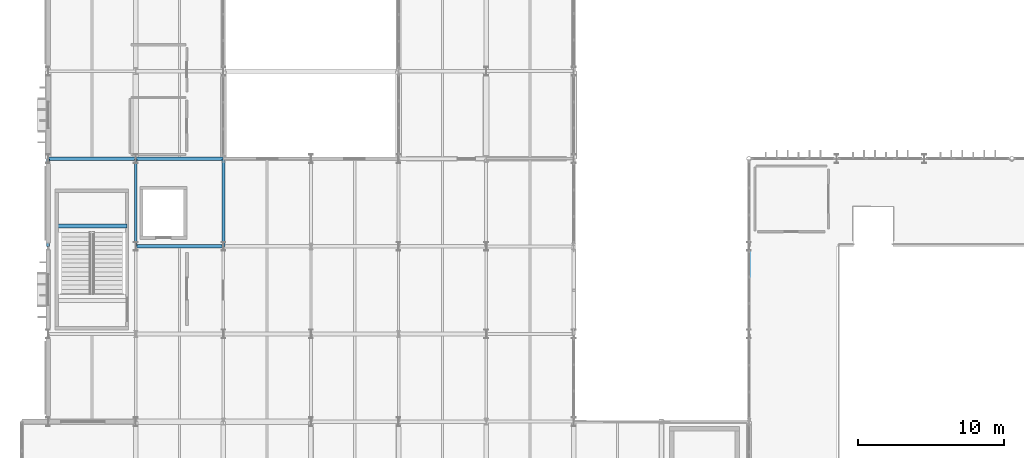
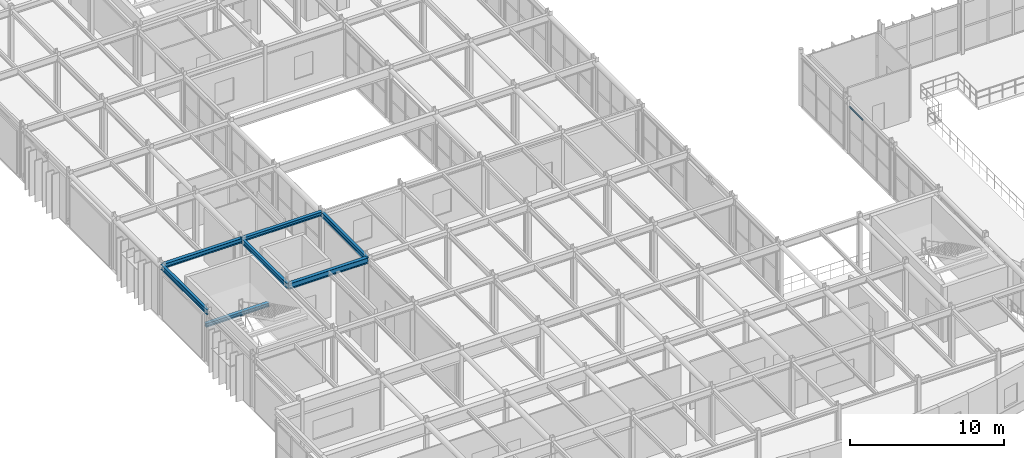
# One storey, part 28 of 96: 7 beams, 1 member, 1 element without a shape of its own.
"""IFC4 building model written with IfcOpenShell, lengths in metres."""

from ifc_helpers import new_model, si_unit, direction, frame, origin, origin_2d, place, context, subcontext, project, spatial, rectangle, i_section, extrude, material, material_profile, profile_set, type_object, element, aggregate, save


model = new_model("IFC4")

# Units and contexts
model_context = context("Model", 3, precision=1e-05, world=origin(), true_north=direction((0.0, 1.0)))
body_context = subcontext(model_context, "Body", "Model", "MODEL_VIEW")
ifc_project = project(units=[si_unit("LENGTHUNIT", "METRE"), si_unit("AREAUNIT", "SQUARE_METRE"), si_unit("VOLUMEUNIT", "CUBIC_METRE"), si_unit("PLANEANGLEUNIT", "RADIAN"), si_unit("MASSUNIT", "GRAM", prefix="KILO")], contexts=[model_context])

# Site, building, storey
site_placement = place(None, origin())
site = spatial("IfcSite", under=ifc_project, at=site_placement, CompositionType="ELEMENT")
building_placement = place(site_placement, origin())
building = spatial("IfcBuilding", under=site, at=building_placement, Name="Varnakota Square Police Headquarters", CompositionType="ELEMENT")
storey_placement = place(building_placement, frame((0.0, 0.0, 4.800048828125)))
storey = spatial("IfcBuildingStorey", under=building, at=storey_placement, Name="L01", CompositionType="ELEMENT", Elevation=4.800048828125)

# Beams
ifc_material_1 = material(Name="Steel IS 2062 Grade 350", Category="steel")
ifc_material_profile_1 = material_profile(ifc_material_1, i_section(OverallWidth=0.25, OverallDepth=0.300048828125, WebThickness=0.009521484375, FlangeThickness=0.010498046875, FilletRadius=0.011962890625, at=origin_2d()), Name="ISHB 300")
ifc_profile_set_1 = profile_set([ifc_material_profile_1], Name="Steel IS 2062 Grade 350")
beam_type_1 = type_object("IfcBeamType", Name="BM-ISHB300", PredefinedType="BEAM", material=ifc_profile_set_1)
beam_1_placement = place(storey_placement, frame((12.0, 39.0, 4.050048828125), z_axis=(1.0, 0.0, 0.0), x_axis=(0.0, 1.0, 0.0)))
element("IfcBeam", 1, at=beam_1_placement, inside=storey, type_object=beam_type_1, Name="BMG-L01-1384", PredefinedType="BEAM", context=body_context, shape_type="SweptSolid", body=[
    extrude(i_section(OverallWidth=0.25, OverallDepth=0.300048828125, WebThickness=0.009521484375, FlangeThickness=0.010498046875, FilletRadius=0.011962890625, at=origin_2d()), origin(), (0.0, 0.0, 1.0), 6.0),
])
beam_2_placement = place(storey_placement, frame((6.60009765625, 34.400634765625, 1.933837890625), z_axis=(1.0, 0.0, 0.0), x_axis=(0.0, 1.0, 0.0)))
element("IfcBeam", 2, at=beam_2_placement, inside=storey, type_object=beam_type_1, Name="Stair landing support beam BM-LND-0049", PredefinedType="BEAM", context=body_context, shape_type="SweptSolid", body=[
    extrude(i_section(OverallWidth=0.25, OverallDepth=0.300048828125, WebThickness=0.009521484375, FlangeThickness=0.010498046875, FilletRadius=0.011962890625, at=origin_2d()), origin(), (0.0, 0.0, 1.0), 4.7998046875),
])
ifc_material_profile_2 = material_profile(ifc_material_1, i_section(OverallWidth=0.25, OverallDepth=0.35009765625, WebThickness=0.010009765625, FlangeThickness=0.01171875, FilletRadius=0.011962890625, at=origin_2d()), Name="ISHB 350")
ifc_profile_set_2 = profile_set([ifc_material_profile_2], Name="Steel IS 2062 Grade 350")
beam_type_2 = type_object("IfcBeamType", Name="BM-ISHB350", PredefinedType="BEAM", material=ifc_profile_set_2)
beam_3_placement = place(storey_placement, frame((6.0, 39.0, 4.02490234375), z_axis=(1.0, 0.0, 0.0), x_axis=(0.0, 1.0, 0.0)))
element("IfcBeam", 3, at=beam_3_placement, inside=storey, type_object=beam_type_2, Name="BMG-L01-1383", PredefinedType="BEAM", context=body_context, shape_type="SweptSolid", body=[
    extrude(i_section(OverallWidth=0.25, OverallDepth=0.35009765625, WebThickness=0.010009765625, FlangeThickness=0.01171875, FilletRadius=0.011962890625, at=origin_2d()), origin(), (0.0, 0.0, 1.0), 6.0),
])
ifc_material_profile_3 = material_profile(ifc_material_1, i_section(OverallWidth=0.25, OverallDepth=0.449951171875, WebThickness=0.01123046875, FlangeThickness=0.013671875, FilletRadius=0.014892578125, at=origin_2d()), Name="ISHB 450")
ifc_profile_set_3 = profile_set([ifc_material_profile_3], Name="Steel IS 2062 Grade 350")
beam_type_3 = type_object("IfcBeamType", Name="BM-ISHB450", PredefinedType="BEAM", material=ifc_profile_set_3)
beam_4_placement = place(storey_placement, frame((12.0, 33.0, 3.974853515625), z_axis=(1.0, 0.0, 0.0), x_axis=(0.0, 1.0, 0.0)))
element("IfcBeam", 4, at=beam_4_placement, inside=storey, type_object=beam_type_3, Name="BMG-L01-1375", PredefinedType="BEAM", context=body_context, shape_type="SweptSolid", body=[
    extrude(i_section(OverallWidth=0.25, OverallDepth=0.449951171875, WebThickness=0.01123046875, FlangeThickness=0.013671875, FilletRadius=0.014892578125, at=origin_2d()), origin(), (0.0, 0.0, 1.0), 6.0),
])
ifc_material_profile_4 = material_profile(ifc_material_1, i_section(OverallWidth=0.199951171875, OverallDepth=0.39990234375, WebThickness=0.008544921875, FlangeThickness=0.012939453125, FilletRadius=0.012939453125, at=origin_2d()), Name="ISWB 400")
ifc_profile_set_4 = profile_set([ifc_material_profile_4], Name="Steel IS 2062 Grade 350")
beam_type_4 = type_object("IfcBeamType", Name="BM-ISWB400", PredefinedType="BEAM", material=ifc_profile_set_4)
for number, where, z_axis, x_axis, name in (
    (5, (6.0, 33.0, 4.0), (0.0, 1.0, 0.0), (-1.0, 0.0, 0.0), "BMG-L01-1539"),
    (6, (12.0, 33.0, 4.0), (0.0, 1.0, 0.0), (-1.0, 0.0, 0.0), "BMG-L01-1556"),
    (7, (18.0, 33.0, 4.0), (0.0, 1.0, 0.0), (-1.0, 0.0, 0.0), "BMG-L01-1570"),
):
    element("IfcBeam", number, at=place(storey_placement, frame(where, z_axis=z_axis, x_axis=x_axis)), inside=storey, type_object=beam_type_4, Name=name, PredefinedType="BEAM", context=body_context, shape_type="SweptSolid", body=[
        extrude(i_section(OverallWidth=0.199951171875, OverallDepth=0.39990234375, WebThickness=0.008544921875, FlangeThickness=0.012939453125, FilletRadius=0.012939453125, at=origin_2d()), origin(), (0.0, 0.0, 1.0), 6.0),
    ])

# Curtain wall, member
ifc_material_2 = material(Name="Anodised Aluminium Framing", Category="aluminium")
curtain_wall_type = type_object("IfcCurtainWallType", Name="CW-SYS-B", PredefinedType="NOTDEFINED", material=ifc_material_2)
curtain_wall_placement = place(storey_placement, origin())
curtain_wall = element("IfcCurtainWall", 8, at=curtain_wall_placement, inside=storey, type_object=curtain_wall_type, Name="Unitised curtain wall CWG-L01-031", PredefinedType="NOTDEFINED")
ifc_material_3 = material(Name="Anodised Aluminium 6063-T6", Category="aluminium")
ifc_material_profile_5 = material_profile(ifc_material_3, rectangle(XDim=0.06494140625, YDim=0.1298828125, at=origin_2d()), Name="ALU TRANSOM 65x130")
ifc_profile_set_5 = profile_set([ifc_material_profile_5], Name="Anodised Aluminium 6063-T6")
member_type = type_object("IfcMemberType", Name="CWT-120", PredefinedType="USERDEFINED", material=ifc_profile_set_5)
member_placement = place(storey_placement, frame((54.0, 30.930908203125, 3.70751953125), z_axis=(0.0, 1.0, 0.0), x_axis=(-1.0, 0.0, 0.0)))
member = element("IfcMember", 9, at=member_placement, type_object=member_type, Name="CWG-L01-031 transom 3.3", ObjectType="TRANSOM", PredefinedType="USERDEFINED", context=body_context, shape_type="SweptSolid", body=[
    extrude(rectangle(XDim=0.06494140625, YDim=0.1298828125, at=origin_2d()), origin(), (0.0, 0.0, 1.0), 1.698974609375),
])
aggregate(curtain_wall, [member])

save(model, "model.ifc")
